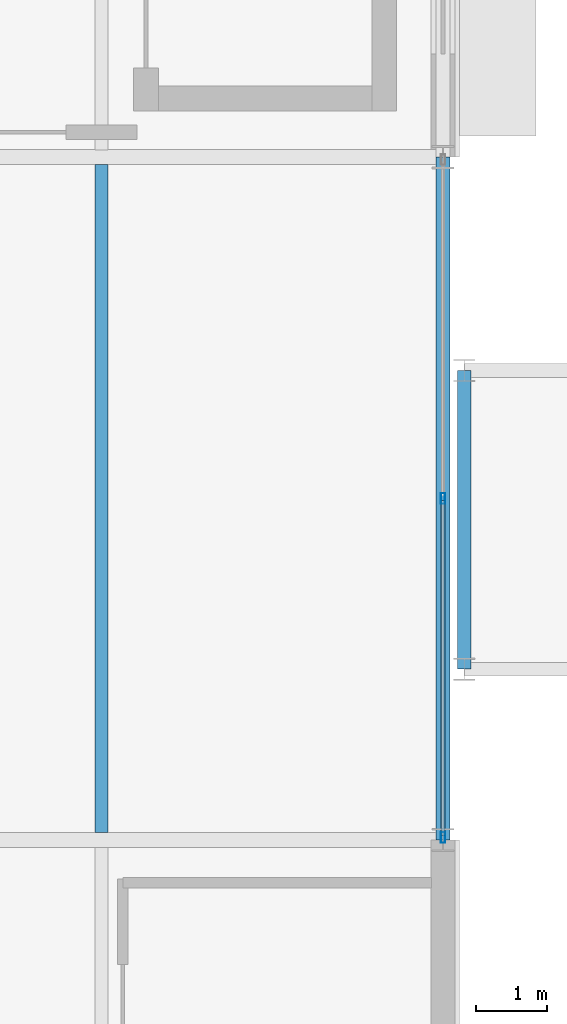
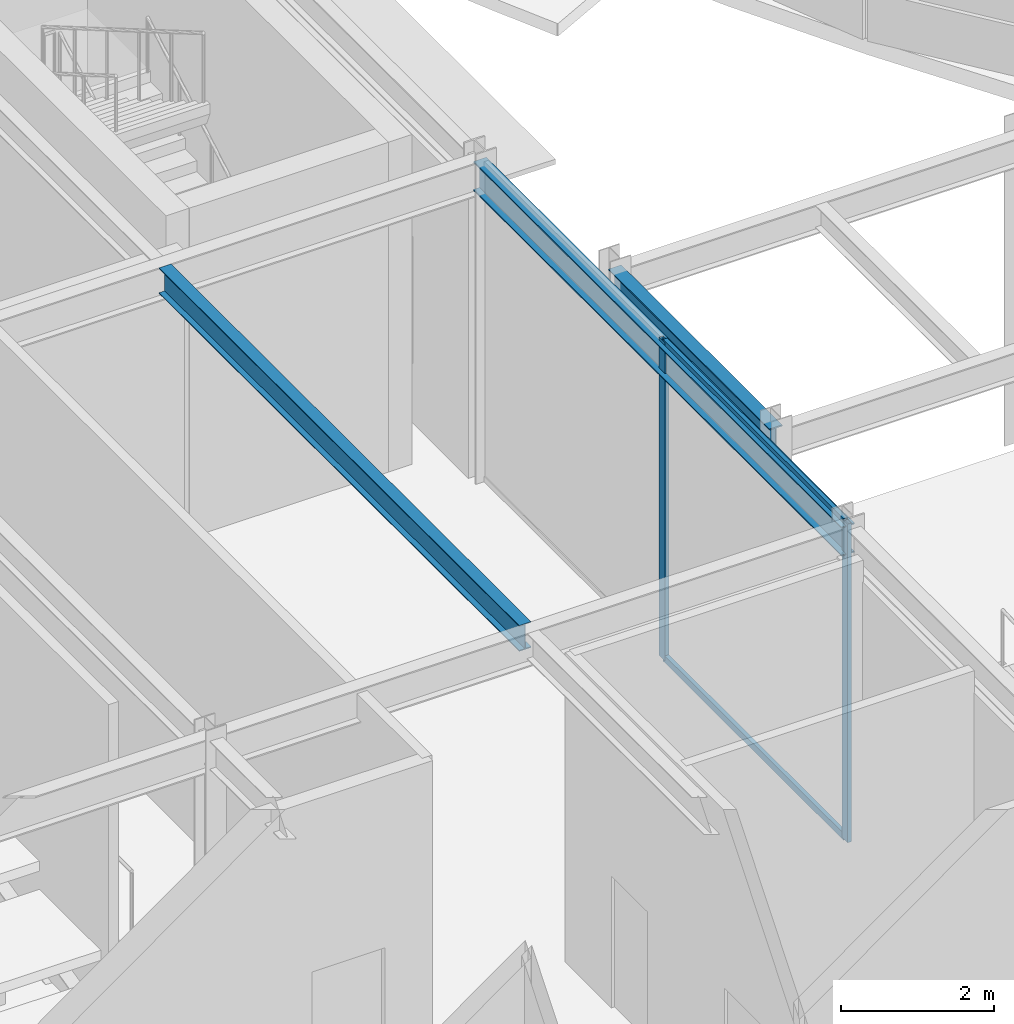
# One storey, part 22 of 168: 4 members, 3 beams, 1 element without a shape of its own.
"""IFC4 building model written with IfcOpenShell, lengths in metres."""

from ifc_helpers import new_model, si_unit, direction, frame, origin, origin_2d, place, context, subcontext, project, spatial, hollow_rectangle, i_section, extrude, material, material_profile, profile_set, type_object, element, aggregate, save


model = new_model("IFC4")

# Units and contexts
model_context = context("Model", 3, precision=1e-05, world=origin(), true_north=direction((0.0, 1.0)))
body_context = subcontext(model_context, "Body", "Model", "MODEL_VIEW")
ifc_project = project(units=[si_unit("LENGTHUNIT", "METRE"), si_unit("AREAUNIT", "SQUARE_METRE"), si_unit("VOLUMEUNIT", "CUBIC_METRE"), si_unit("PLANEANGLEUNIT", "RADIAN"), si_unit("MASSUNIT", "GRAM", prefix="KILO")], contexts=[model_context])

# Site, building, storey
site_placement = place(None, origin())
site = spatial("IfcSite", under=ifc_project, at=site_placement, CompositionType="ELEMENT")
building_placement = place(site_placement, origin())
building = spatial("IfcBuilding", under=site, at=building_placement, Name="Almandine Court Research Institute", CompositionType="ELEMENT")
storey_placement = place(building_placement, origin())
storey = spatial("IfcBuildingStorey", under=building, at=storey_placement, Name="L00", CompositionType="ELEMENT", Elevation=0.0)

# Beams
ifc_material_1 = material(Name="Steel ASTM A992 Grade 50", Category="steel")
ifc_material_profile_1 = material_profile(ifc_material_1, i_section(OverallWidth=0.178955078125, OverallDepth=0.409912109375, WebThickness=0.009033203125, FlangeThickness=0.013916015625, at=origin_2d()), Name="W410x67")
ifc_profile_set_1 = profile_set([ifc_material_profile_1], Name="Steel ASTM A992 Grade 50")
beam_type_1 = type_object("IfcBeamType", Name="Beam-B-02", PredefinedType="JOIST", material=ifc_profile_set_1)
beam_1_placement = place(storey_placement, frame((30.0, 15.7041015625, 4.864990234375), z_axis=(0.0, 1.0, 0.0), x_axis=(-1.0, 0.0, 0.0)))
element("IfcBeam", 1, at=beam_1_placement, inside=storey, type_object=beam_type_1, Name="L00 V1 Composite Secondary Beam", PredefinedType="JOIST", context=body_context, shape_type="SweptSolid", body=[
    extrude(i_section(OverallWidth=0.178955078125, OverallDepth=0.409912109375, WebThickness=0.009033203125, FlangeThickness=0.013916015625, at=origin_2d()), origin(), (0.0, 0.0, 1.0), 9.391845703125),
])
ifc_material_profile_2 = material_profile(ifc_material_1, i_section(OverallWidth=0.193115234375, OverallDepth=0.466064453125, WebThickness=0.010986328125, FlangeThickness=0.01904296875, at=origin_2d()), Name="W460x97")
ifc_profile_set_2 = profile_set([ifc_material_profile_2], Name="Steel ASTM A992 Grade 50")
beam_type_2 = type_object("IfcBeamType", Name="Beam-G-06-E", PredefinedType="SPANDREL", material=ifc_profile_set_2)
beam_2_placement = place(storey_placement, frame((34.800048828125, 15.60009765625, 4.7900390625), z_axis=(0.0, 1.0, 0.0), x_axis=(-1.0, 0.0, 0.0)))
element("IfcBeam", 2, at=beam_2_placement, inside=storey, type_object=beam_type_2, Name="L00 V1 Primary Y Girder", PredefinedType="SPANDREL", context=body_context, shape_type="SweptSolid", body=[
    extrude(i_section(OverallWidth=0.193115234375, OverallDepth=0.466064453125, WebThickness=0.010986328125, FlangeThickness=0.01904296875, at=origin_2d()), origin(), (0.0, 0.0, 1.0), 9.599853515625),
])
beam_3_placement = place(storey_placement, frame((35.10009765625, 18.0, 4.7900390625), z_axis=(0.0, 1.0, 0.0), x_axis=(-1.0, 0.0, 0.0)))
element("IfcBeam", 3, at=beam_3_placement, inside=storey, type_object=beam_type_2, Name="L00 DAL-SW Primary Y Girder", PredefinedType="SPANDREL", context=body_context, shape_type="SweptSolid", body=[
    extrude(i_section(OverallWidth=0.193115234375, OverallDepth=0.466064453125, WebThickness=0.010986328125, FlangeThickness=0.01904296875, at=origin_2d()), origin(), (0.0, 0.0, 1.0), 4.199951171875),
])

# Curtain wall, members
ifc_material_2 = material(Name="Unitised Curtain Wall Framing and Solar Glazing", Category="glass")
curtain_wall_type = type_object("IfcCurtainWallType", Name="CW-CWG-01", PredefinedType="USERDEFINED", material=ifc_material_2)
curtain_wall_placement = place(storey_placement, origin())
curtain_wall = element("IfcCurtainWall", 4, at=curtain_wall_placement, inside=storey, type_object=curtain_wall_type, Name="L00 Lecture Foyer Courtyard Curtain Wall", ObjectType="UNITISED GLAZING", PredefinedType="USERDEFINED")
ifc_material_3 = material(Name="Anodised Aluminium AW-6063-T6", Category="aluminium")
ifc_material_profile_3 = material_profile(ifc_material_3, hollow_rectangle(XDim=0.06005859375, YDim=0.14990234375, WallThickness=0.00390625, at=origin_2d()), Name="ALU RHS 60x150x4")
ifc_profile_set_3 = profile_set([ifc_material_profile_3], Name="Anodised Aluminium AW-6063-T6")
member_type_1 = type_object("IfcMemberType", Name="CWMul-60x150", PredefinedType="MULLION", material=ifc_profile_set_3)
member_1_placement = place(storey_placement, frame((34.800048828125, 20.39990234375, 0.0), z_axis=(0.0, 0.0, 1.0), x_axis=(1.0, 0.0, 0.0)))
member_1 = element("IfcMember", 5, at=member_1_placement, type_object=member_type_1, Name="CWG-01 mullion 2", PredefinedType="MULLION", context=body_context, shape_type="SweptSolid", body=[
    extrude(hollow_rectangle(XDim=0.06005859375, YDim=0.14990234375, WallThickness=0.00390625, at=origin_2d()), origin(), (0.0, 0.0, 1.0), 5.070068359375),
])
member_2_placement = place(storey_placement, frame((34.800048828125, 15.634033203125, 0.0), z_axis=(0.0, 0.0, 1.0), x_axis=(1.0, 0.0, 0.0)))
member_2 = element("IfcMember", 6, at=member_2_placement, type_object=member_type_1, Name="CWG-01 mullion 3", PredefinedType="MULLION", context=body_context, shape_type="SweptSolid", body=[
    extrude(hollow_rectangle(XDim=0.06005859375, YDim=0.14990234375, WallThickness=0.00390625, at=origin_2d()), origin(), (0.0, 0.0, 1.0), 5.070068359375),
])
ifc_material_profile_4 = material_profile(ifc_material_3, hollow_rectangle(XDim=0.06005859375, YDim=0.110107421875, WallThickness=0.00390625, at=origin_2d()), Name="ALU RHS 60x110x4")
ifc_profile_set_4 = profile_set([ifc_material_profile_4], Name="Anodised Aluminium AW-6063-T6")
member_type_2 = type_object("IfcMemberType", Name="CWTrn-60x110", PredefinedType="NOTDEFINED", material=ifc_profile_set_4)
member_3_placement = place(storey_placement, frame((34.800048828125, 20.3701171875, 0.030029296875), z_axis=(0.0, -1.0, 0.0), x_axis=(1.0, 0.0, 0.0)))
member_3 = element("IfcMember", 7, at=member_3_placement, type_object=member_type_2, Name="CWG-01 transom 2.1", ObjectType="TRANSOM", PredefinedType="USERDEFINED", context=body_context, shape_type="SweptSolid", body=[
    extrude(hollow_rectangle(XDim=0.06005859375, YDim=0.110107421875, WallThickness=0.00390625, at=origin_2d()), origin(), (0.0, 0.0, 1.0), 4.7060546875),
])
member_4_placement = place(storey_placement, frame((34.800048828125, 20.3701171875, 5.0400390625), z_axis=(0.0, -1.0, 0.0), x_axis=(1.0, 0.0, 0.0)))
member_4 = element("IfcMember", 8, at=member_4_placement, type_object=member_type_2, Name="CWG-01 transom 2.2", ObjectType="TRANSOM", PredefinedType="USERDEFINED", context=body_context, shape_type="SweptSolid", body=[
    extrude(hollow_rectangle(XDim=0.06005859375, YDim=0.110107421875, WallThickness=0.00390625, at=origin_2d()), origin(), (0.0, 0.0, 1.0), 4.7060546875),
])
aggregate(curtain_wall, [member_1, member_2, member_3, member_4])

save(model, "model.ifc")
